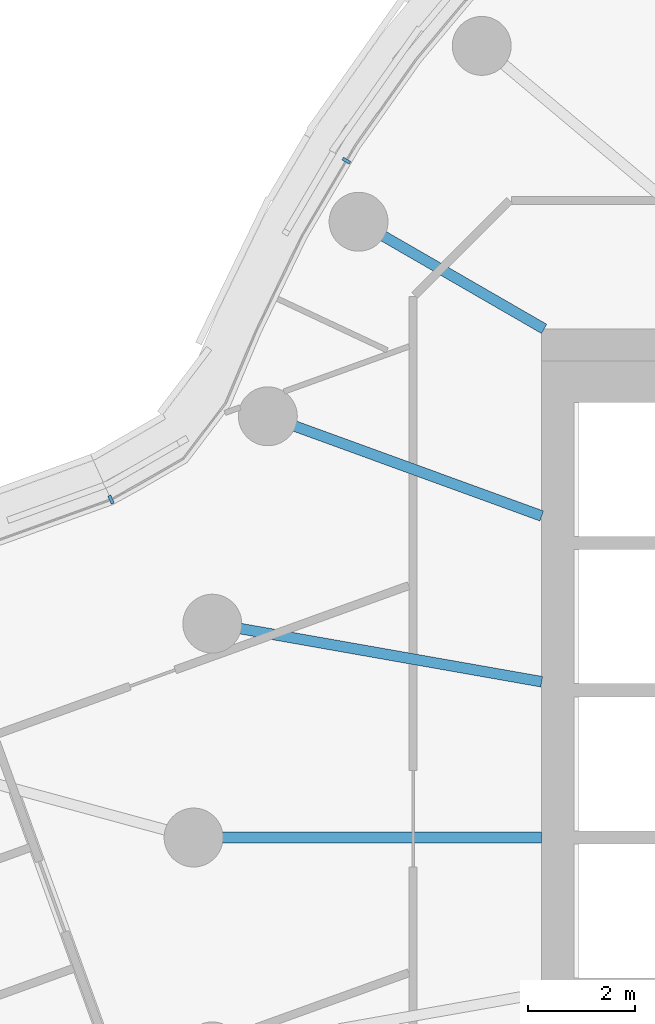
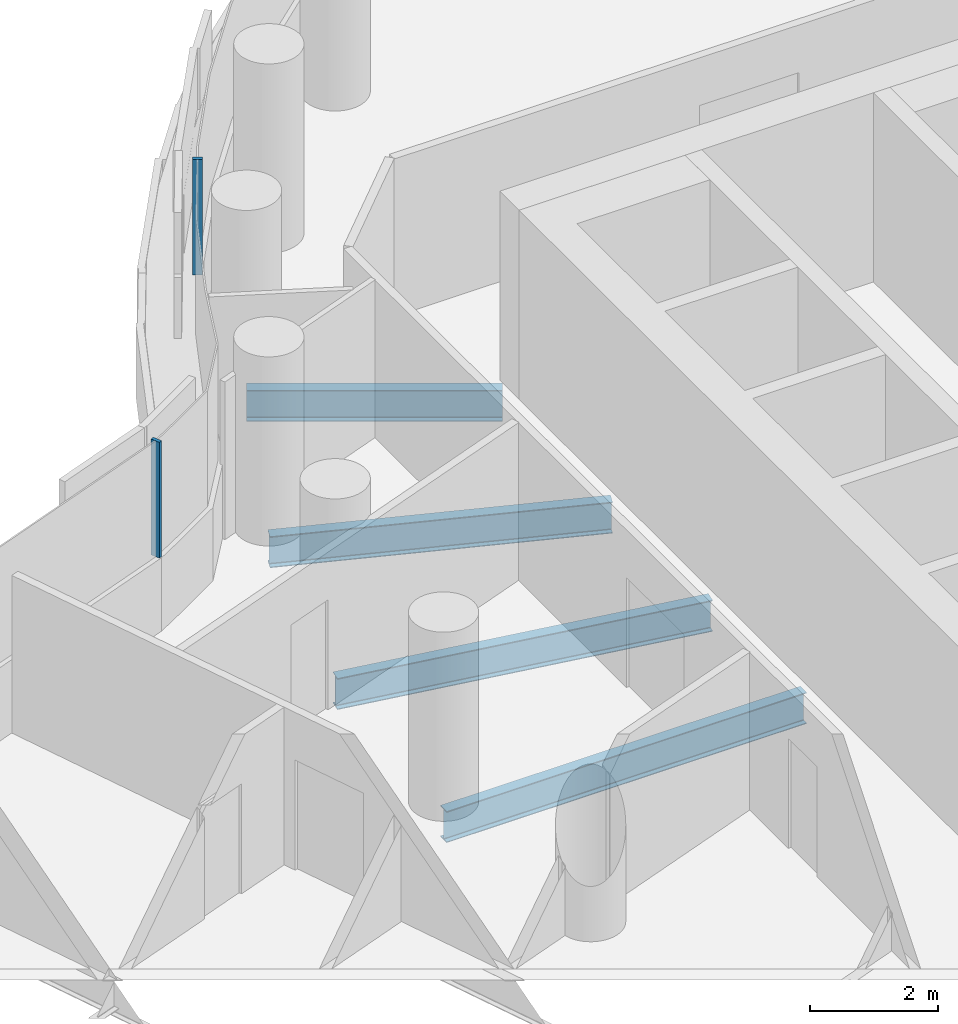
# One storey, part 7 of 30: 4 beams, 2 members, 2 elements without a shape of their own.
"""IFC4 building model written with IfcOpenShell, lengths in metres."""

from ifc_helpers import new_model, si_unit, direction, frame, origin, origin_2d, place, context, subcontext, project, spatial, rectangle, i_section, extrude, material, layer, layer_set, material_profile, profile_set, type_object, element, aggregate, save


model = new_model("IFC4")

# Units and contexts
model_context = context("Model", 3, precision=1e-05, world=origin(), true_north=direction((0.0, 1.0)))
body_context = subcontext(model_context, "Body", "Model", "MODEL_VIEW")
ifc_project = project(units=[si_unit("LENGTHUNIT", "METRE"), si_unit("AREAUNIT", "SQUARE_METRE"), si_unit("VOLUMEUNIT", "CUBIC_METRE"), si_unit("PLANEANGLEUNIT", "RADIAN"), si_unit("MASSUNIT", "GRAM", prefix="KILO")], contexts=[model_context])

# Site, building, storey
site_placement = place(None, origin())
site = spatial("IfcSite", under=ifc_project, at=site_placement, CompositionType="ELEMENT")
building_placement = place(site_placement, origin())
building = spatial("IfcBuilding", under=site, at=building_placement, Name="Tamarind Cross Interchange Tower", CompositionType="ELEMENT")
storey_placement = place(building_placement, frame((0.0, 0.0, 106.0)))
storey = spatial("IfcBuildingStorey", under=building, at=storey_placement, Name="L25", CompositionType="ELEMENT", Elevation=106.0)

# Beams
ifc_material_1 = material(Name="Steel Q355B", Category="steel")
ifc_material_profile_1 = material_profile(ifc_material_1, i_section(OverallWidth=0.198974609375, OverallDepth=0.595947265625, WebThickness=0.010009765625, FlangeThickness=0.014892578125, FilletRadius=0.012939453125, at=origin_2d()), Name="HN 596x199x10x15")
ifc_profile_set_1 = profile_set([ifc_material_profile_1], Name="Steel Q355B")
beam_type = type_object("IfcBeamType", Name="Composite beam HN 596x199x10x15 Q355B", PredefinedType="BEAM", material=ifc_profile_set_1)
beam_1_placement = place(storey_placement, frame((-19.918701171875, 11.5, -0.43798828125), z_axis=(0.866026010844, -0.49999894854, 0.0), x_axis=(0.49999894854, 0.866026010844, 0.0)))
element("IfcBeam", 1, at=beam_1_placement, inside=storey, type_object=beam_type, Name="Beam HH15", PredefinedType="BEAM", context=body_context, shape_type="SweptSolid", body=[
    extrude(i_section(OverallWidth=0.198974609375, OverallDepth=0.595947265625, WebThickness=0.010009765625, FlangeThickness=0.014892578125, FilletRadius=0.012939453125, at=origin_2d()), origin(), (0.0, 0.0, 1.0), 4.0),
])
beam_2_placement = place(storey_placement, frame((-21.613037109375, 7.866455078125, -0.43798828125), z_axis=(0.939701685589, -0.341995236956, 0.0), x_axis=(0.341995236956, 0.939701685589, 0.0)))
element("IfcBeam", 2, at=beam_2_placement, inside=storey, type_object=beam_type, Name="Beam HH16", PredefinedType="BEAM", context=body_context, shape_type="SweptSolid", body=[
    extrude(i_section(OverallWidth=0.198974609375, OverallDepth=0.595947265625, WebThickness=0.010009765625, FlangeThickness=0.014892578125, FilletRadius=0.012939453125, at=origin_2d()), origin(), (0.0, 0.0, 1.0), 5.441162109375),
])
beam_3_placement = place(storey_placement, frame((-22.650634765625, 3.993896484375, -0.43798828125), z_axis=(0.984809127561, -0.173640382036, 0.0), x_axis=(0.173640382036, 0.984809127561, 0.0)))
element("IfcBeam", 3, at=beam_3_placement, inside=storey, type_object=beam_type, Name="Beam HH17", PredefinedType="BEAM", context=body_context, shape_type="SweptSolid", body=[
    extrude(i_section(OverallWidth=0.198974609375, OverallDepth=0.595947265625, WebThickness=0.010009765625, FlangeThickness=0.014892578125, FilletRadius=0.012939453125, at=origin_2d()), origin(), (0.0, 0.0, 1.0), 6.24560546875),
])
beam_4_placement = place(storey_placement, frame((-23.0, 0.0, -0.43798828125), z_axis=(1.0, 0.0, 0.0), x_axis=(0.0, 1.0, 0.0)))
element("IfcBeam", 4, at=beam_4_placement, inside=storey, type_object=beam_type, Name="Beam HH18", PredefinedType="BEAM", context=body_context, shape_type="SweptSolid", body=[
    extrude(i_section(OverallWidth=0.198974609375, OverallDepth=0.595947265625, WebThickness=0.010009765625, FlangeThickness=0.014892578125, FilletRadius=0.012939453125, at=origin_2d()), origin(), (0.0, 0.0, 1.0), 6.5),
])

# Curtain wall, member
ifc_material_2 = material(Name="Aluminium 6063-T6", Category="aluminium")
ifc_layer = layer(ifc_material_2, 0.159912109375)
ifc_layer_set = layer_set([ifc_layer], Name="Aluminium 6063-T6")
curtain_wall_type = type_object("IfcCurtainWallType", Name="Office curtain wall, 9.0 m bays", PredefinedType="NOTDEFINED", material=ifc_layer_set)
curtain_wall_1_placement = place(storey_placement, origin())
curtain_wall_1 = element("IfcCurtainWall", 5, at=curtain_wall_1_placement, inside=storey, type_object=curtain_wall_type, Name="CWS-L25-14", PredefinedType="NOTDEFINED")
ifc_material_profile_2 = material_profile(ifc_material_2, rectangle(XDim=0.06005859375, YDim=0.159912109375, at=origin_2d()), Name="Mullion CW1")
ifc_profile_set_2 = profile_set([ifc_material_profile_2], Name="Aluminium 6063-T6")
member_type = type_object("IfcMemberType", Name="Mullion CW1", PredefinedType="MULLION", material=ifc_profile_set_2)
member_1_placement = place(storey_placement, frame((-20.1474609375, 12.64013671875, 1.39990234375), z_axis=(0.0, 0.0, 1.0), x_axis=(-0.508183308752, -0.861248933065, 0.0)))
member_1 = element("IfcMember", 6, at=member_1_placement, type_object=member_type, Name="CWM-L25-14-02", PredefinedType="MULLION", context=body_context, shape_type="SweptSolid", body=[
    extrude(rectangle(XDim=0.06005859375, YDim=0.159912109375, at=origin_2d()), origin(), (0.0, 0.0, 1.0), 2.210205078125),
])
aggregate(curtain_wall_1, [member_1])

curtain_wall_2_placement = place(storey_placement, origin())
curtain_wall_2 = element("IfcCurtainWall", 7, at=curtain_wall_2_placement, inside=storey, type_object=curtain_wall_type, Name="CWS-L25-15", PredefinedType="NOTDEFINED")
member_2_placement = place(storey_placement, frame((-24.5419921875, 6.311767578125, 1.39990234375), z_axis=(0.0, 0.0, 1.0), x_axis=(-0.910916398944, -0.412590976797, 0.0)))
member_2 = element("IfcMember", 8, at=member_2_placement, type_object=member_type, Name="CWM-L25-15-00", PredefinedType="MULLION", context=body_context, shape_type="SweptSolid", body=[
    extrude(rectangle(XDim=0.06005859375, YDim=0.159912109375, at=origin_2d()), origin(), (0.0, 0.0, 1.0), 2.210205078125),
])
aggregate(curtain_wall_2, [member_2])

save(model, "model.ifc")
